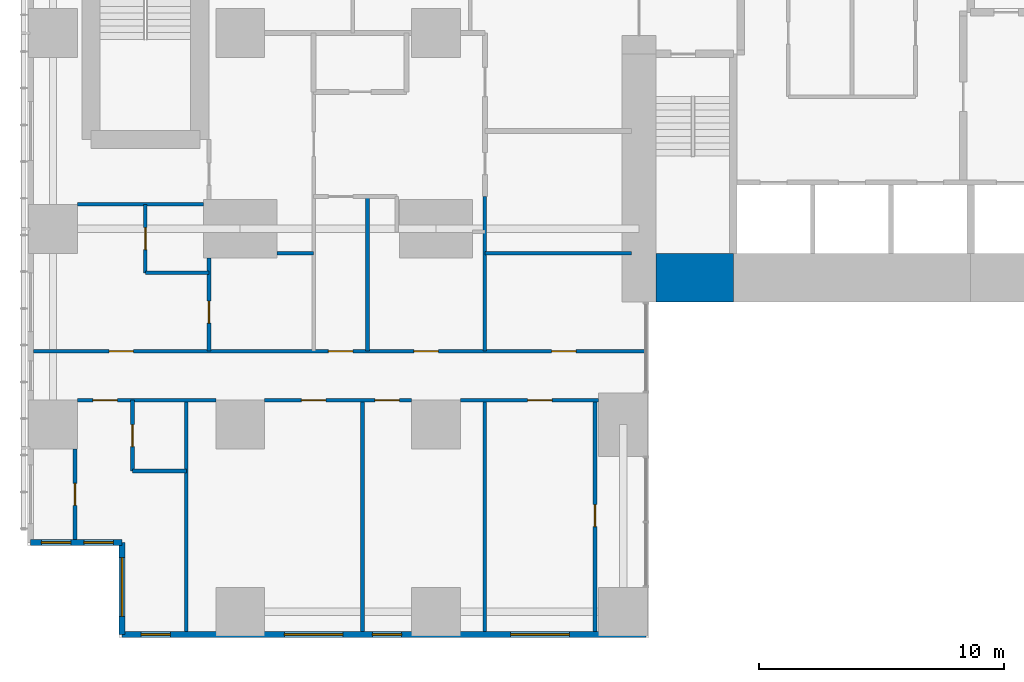
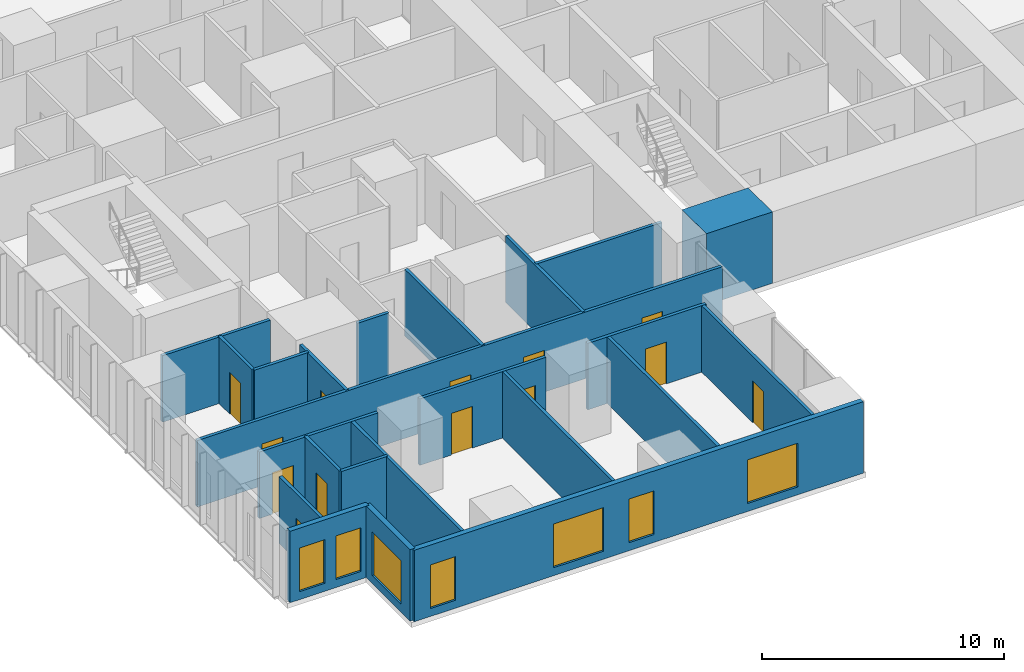
# One storey, part 12 of 20: 23 walls, 13 doors, 7 windows, 20 openings.
"""IFC4 building model written with IfcOpenShell, lengths in metres."""

from ifc_helpers import new_model, si_unit, direction, frame, frame_2d, origin, place, context, subcontext, project, spatial, rectangle, extrude, material, layer, layer_set, type_object, element, fill, save


model = new_model("IFC4")

# Units and contexts
model_context = context("Model", 3, precision=1e-05, world=origin(), true_north=direction((0.0, 1.0)))
body_context = subcontext(model_context, "Body", "Model", "MODEL_VIEW")
ifc_project = project(units=[si_unit("LENGTHUNIT", "METRE"), si_unit("AREAUNIT", "SQUARE_METRE"), si_unit("VOLUMEUNIT", "CUBIC_METRE"), si_unit("PLANEANGLEUNIT", "RADIAN"), si_unit("MASSUNIT", "GRAM", prefix="KILO")], contexts=[model_context])

# Site, building, storey
site_placement = place(None, origin())
site = spatial("IfcSite", under=ifc_project, at=site_placement, CompositionType="ELEMENT")
building_placement = place(site_placement, origin())
building = spatial("IfcBuilding", under=site, at=building_placement, Name="Cleftline Residences", CompositionType="ELEMENT")
storey_placement = place(building_placement, frame((0.0, 0.0, 143.0)))
storey = spatial("IfcBuildingStorey", under=building, at=storey_placement, Name="L37", CompositionType="ELEMENT", Elevation=143.0)

# Wall
ifc_material_1 = material(Name="Concrete B70", Category="concrete")
ifc_layer_1 = layer(ifc_material_1, 2.0)
ifc_layer_set_1 = layer_set([ifc_layer_1], Name="CORE WALL 2000")
wall_type_1 = type_object("IfcWallType", Name="CORE WALL 2000", PredefinedType="SHEAR", material=ifc_layer_set_1)
wall_1_placement = place(storey_placement, frame((25.0, 14.0, 0.0), z_axis=(0.0, 0.0, 1.0), x_axis=(1.0, 0.0, 0.0)))
element("IfcWall", 1, at=wall_1_placement, inside=storey, type_object=wall_type_1, Name="Core wall S1", PredefinedType="SHEAR", context=body_context, shape_type="SweptSolid", body=[
    extrude(rectangle(XDim=3.14990234375, YDim=2.0, at=frame_2d((1.574951171875, 0.0))), origin(), (0.0, 0.0, 1.0), 3.60009765625),
])

# Wall, openings, windows
ifc_material_2 = material(Name="Rendered reinforced concrete blockwork", Category="masonry")
ifc_layer_2 = layer(ifc_material_2, 0.25)
ifc_layer_set_2 = layer_set([ifc_layer_2], Name="EXTERNAL WALL 250")
wall_type_2 = type_object("IfcWallType", Name="EXTERNAL WALL 250", PredefinedType="SOLIDWALL", material=ifc_layer_set_2)
wall_2_placement = place(storey_placement, frame((-0.574951171875, 3.175048828125, 0.0), z_axis=(0.0, 0.0, 1.0), x_axis=(1.0, 0.0, 0.0)))
wall_2 = element("IfcWall", 2, at=wall_2_placement, inside=storey, type_object=wall_type_2, Name="External wall", PredefinedType="SOLIDWALL", context=body_context, shape_type="SweptSolid", body=[
    extrude(rectangle(XDim=3.75, YDim=0.25, at=frame_2d((1.875, 0.0))), origin(), (0.0, 0.0, 1.0), 3.60009765625),
])
opening_1_placement = place(wall_2_placement, frame((0.449951171875, 0.0, 0.39990234375)))
opening_1 = element("IfcOpeningElement", 3, at=opening_1_placement, cuts=wall_2, Name="Opening W11", PredefinedType="OPENING", context=body_context, shape_type="SweptSolid", body=[
    extrude(rectangle(XDim=1.199951171875, YDim=2.199951171875, at=frame_2d((0.60009765625, 1.10009765625))), frame((0.0, 0.135009765625, 0.0), z_axis=(0.0, -1.0, 0.0), x_axis=(1.0, 0.0, 0.0)), (0.0, 0.0, 1.0), 0.27001953125),
])
opening_2_placement = place(wall_2_placement, frame((2.1875, 0.0, 0.39990234375)))
opening_2 = element("IfcOpeningElement", 4, at=opening_2_placement, cuts=wall_2, Name="Opening W11", PredefinedType="OPENING", context=body_context, shape_type="SweptSolid", body=[
    extrude(rectangle(XDim=1.199951171875, YDim=2.199951171875, at=frame_2d((0.60009765625, 1.10009765625))), frame((0.0, 0.135009765625, 0.0), z_axis=(0.0, -1.0, 0.0), x_axis=(1.0, 0.0, 0.0)), (0.0, 0.0, 1.0), 0.27001953125),
])
ifc_material_3 = material(Name="Aluminium frame, clear double glazing", Category="aluminium")
window_type_1 = type_object("IfcWindowType", Name="WINDOW 1200X2200", PartitioningType="DOUBLE_PANEL_VERTICAL", PredefinedType="WINDOW", material=ifc_material_3)
window_1_placement = place(opening_1_placement, origin())
window_1 = element("IfcWindow", 5, at=window_1_placement, inside=storey, type_object=window_type_1, Name="Window", OverallHeight=2.199951171875, OverallWidth=1.199951171875, PartitioningType="SINGLE_PANEL", PredefinedType="WINDOW", context=body_context, shape_type="SweptSolid", body=[
    extrude(rectangle(XDim=1.199951171875, YDim=2.199951171875, at=frame_2d((0.60009765625, 1.10009765625))), frame((0.0, 0.030029296875, 0.0), z_axis=(0.0, -1.0, 0.0), x_axis=(1.0, 0.0, 0.0)), (0.0, 0.0, 1.0), 0.06005859375),
])
fill(opening_1, window_1)
window_2_placement = place(opening_2_placement, origin())
window_2 = element("IfcWindow", 6, at=window_2_placement, inside=storey, type_object=window_type_1, Name="Window", OverallHeight=2.199951171875, OverallWidth=1.199951171875, PartitioningType="SINGLE_PANEL", PredefinedType="WINDOW", context=body_context, shape_type="SweptSolid", body=[
    extrude(rectangle(XDim=1.199951171875, YDim=2.199951171875, at=frame_2d((0.60009765625, 1.10009765625))), frame((0.0, 0.030029296875, 0.0), z_axis=(0.0, -1.0, 0.0), x_axis=(1.0, 0.0, 0.0)), (0.0, 0.0, 1.0), 0.06005859375),
])
fill(opening_2, window_2)

# Wall, opening, window
wall_3_placement = place(storey_placement, frame((3.175048828125, 3.175048828125, 0.0), z_axis=(0.0, 0.0, 1.0), x_axis=(0.0, -1.0, 0.0)))
wall_3 = element("IfcWall", 7, at=wall_3_placement, inside=storey, type_object=wall_type_2, Name="External wall", PredefinedType="SOLIDWALL", context=body_context, shape_type="SweptSolid", body=[
    extrude(rectangle(XDim=3.75, YDim=0.25, at=frame_2d((1.875, 0.0))), origin(), (0.0, 0.0, 1.0), 3.60009765625),
])
opening_3_placement = place(wall_3_placement, frame((0.612548828125, 0.0, 0.39990234375)))
opening_3 = element("IfcOpeningElement", 8, at=opening_3_placement, cuts=wall_3, Name="Opening W12", PredefinedType="OPENING", context=body_context, shape_type="SweptSolid", body=[
    extrude(rectangle(XDim=2.39990234375, YDim=2.199951171875, at=frame_2d((1.199951171875, 1.10009765625))), frame((0.0, 0.135009765625, 0.0), z_axis=(0.0, -1.0, 0.0), x_axis=(1.0, 0.0, 0.0)), (0.0, 0.0, 1.0), 0.27001953125),
])
ifc_material_4 = material(Name="Aluminium frame, clear double glazing", Category="aluminium")
window_type_2 = type_object("IfcWindowType", Name="WINDOW 2400X2200", PartitioningType="DOUBLE_PANEL_VERTICAL", PredefinedType="WINDOW", material=ifc_material_4)
window_3_placement = place(opening_3_placement, origin())
window_3 = element("IfcWindow", 9, at=window_3_placement, inside=storey, type_object=window_type_2, Name="Window", OverallHeight=2.199951171875, OverallWidth=2.39990234375, PartitioningType="SINGLE_PANEL", PredefinedType="WINDOW", context=body_context, shape_type="SweptSolid", body=[
    extrude(rectangle(XDim=2.39990234375, YDim=2.199951171875, at=frame_2d((1.199951171875, 1.10009765625))), frame((0.0, 0.030029296875, 0.0), z_axis=(0.0, -1.0, 0.0), x_axis=(1.0, 0.0, 0.0)), (0.0, 0.0, 1.0), 0.06005859375),
])
fill(opening_3, window_3)

# Wall, openings, windows
wall_4_placement = place(storey_placement, frame((3.175048828125, -0.574951171875, 0.0), z_axis=(0.0, 0.0, 1.0), x_axis=(1.0, 0.0, 0.0)))
wall_4 = element("IfcWall", 10, at=wall_4_placement, inside=storey, type_object=wall_type_2, Name="External wall", PredefinedType="SOLIDWALL", context=body_context, shape_type="SweptSolid", body=[
    extrude(rectangle(XDim=21.39990234375, YDim=0.25, at=frame_2d((10.699951171875, 0.0))), origin(), (0.0, 0.0, 1.0), 3.60009765625),
])
opening_4_placement = place(wall_4_placement, frame((0.77490234375, 0.0, 0.39990234375)))
opening_4 = element("IfcOpeningElement", 11, at=opening_4_placement, cuts=wall_4, Name="Opening W11", PredefinedType="OPENING", context=body_context, shape_type="SweptSolid", body=[
    extrude(rectangle(XDim=1.199951171875, YDim=2.199951171875, at=frame_2d((0.60009765625, 1.10009765625))), frame((0.0, 0.135009765625, 0.0), z_axis=(0.0, -1.0, 0.0), x_axis=(1.0, 0.0, 0.0)), (0.0, 0.0, 1.0), 0.27001953125),
])
opening_5_placement = place(wall_4_placement, frame((6.625, 0.0, 0.39990234375)))
opening_5 = element("IfcOpeningElement", 12, at=opening_5_placement, cuts=wall_4, Name="Opening W12", PredefinedType="OPENING", context=body_context, shape_type="SweptSolid", body=[
    extrude(rectangle(XDim=2.39990234375, YDim=2.199951171875, at=frame_2d((1.199951171875, 1.10009765625))), frame((0.0, 0.135009765625, 0.0), z_axis=(0.0, -1.0, 0.0), x_axis=(1.0, 0.0, 0.0)), (0.0, 0.0, 1.0), 0.27001953125),
])
opening_6_placement = place(wall_4_placement, frame((10.22509765625, 0.0, 0.39990234375)))
opening_6 = element("IfcOpeningElement", 13, at=opening_6_placement, cuts=wall_4, Name="Opening W11", PredefinedType="OPENING", context=body_context, shape_type="SweptSolid", body=[
    extrude(rectangle(XDim=1.199951171875, YDim=2.199951171875, at=frame_2d((0.60009765625, 1.10009765625))), frame((0.0, 0.135009765625, 0.0), z_axis=(0.0, -1.0, 0.0), x_axis=(1.0, 0.0, 0.0)), (0.0, 0.0, 1.0), 0.27001953125),
])
opening_7_placement = place(wall_4_placement, frame((15.875, 0.0, 0.39990234375)))
opening_7 = element("IfcOpeningElement", 14, at=opening_7_placement, cuts=wall_4, Name="Opening W12", PredefinedType="OPENING", context=body_context, shape_type="SweptSolid", body=[
    extrude(rectangle(XDim=2.39990234375, YDim=2.199951171875, at=frame_2d((1.199951171875, 1.10009765625))), frame((0.0, 0.135009765625, 0.0), z_axis=(0.0, -1.0, 0.0), x_axis=(1.0, 0.0, 0.0)), (0.0, 0.0, 1.0), 0.27001953125),
])
window_4_placement = place(opening_4_placement, origin())
window_4 = element("IfcWindow", 15, at=window_4_placement, inside=storey, type_object=window_type_1, Name="Window", OverallHeight=2.199951171875, OverallWidth=1.199951171875, PartitioningType="SINGLE_PANEL", PredefinedType="WINDOW", context=body_context, shape_type="SweptSolid", body=[
    extrude(rectangle(XDim=1.199951171875, YDim=2.199951171875, at=frame_2d((0.60009765625, 1.10009765625))), frame((0.0, 0.030029296875, 0.0), z_axis=(0.0, -1.0, 0.0), x_axis=(1.0, 0.0, 0.0)), (0.0, 0.0, 1.0), 0.06005859375),
])
fill(opening_4, window_4)
window_5_placement = place(opening_6_placement, origin())
window_5 = element("IfcWindow", 16, at=window_5_placement, inside=storey, type_object=window_type_1, Name="Window", OverallHeight=2.199951171875, OverallWidth=1.199951171875, PartitioningType="SINGLE_PANEL", PredefinedType="WINDOW", context=body_context, shape_type="SweptSolid", body=[
    extrude(rectangle(XDim=1.199951171875, YDim=2.199951171875, at=frame_2d((0.60009765625, 1.10009765625))), frame((0.0, 0.030029296875, 0.0), z_axis=(0.0, -1.0, 0.0), x_axis=(1.0, 0.0, 0.0)), (0.0, 0.0, 1.0), 0.06005859375),
])
fill(opening_6, window_5)
window_6_placement = place(opening_5_placement, origin())
window_6 = element("IfcWindow", 17, at=window_6_placement, inside=storey, type_object=window_type_2, Name="Window", OverallHeight=2.199951171875, OverallWidth=2.39990234375, PartitioningType="SINGLE_PANEL", PredefinedType="WINDOW", context=body_context, shape_type="SweptSolid", body=[
    extrude(rectangle(XDim=2.39990234375, YDim=2.199951171875, at=frame_2d((1.199951171875, 1.10009765625))), frame((0.0, 0.030029296875, 0.0), z_axis=(0.0, -1.0, 0.0), x_axis=(1.0, 0.0, 0.0)), (0.0, 0.0, 1.0), 0.06005859375),
])
fill(opening_5, window_6)
window_7_placement = place(opening_7_placement, origin())
window_7 = element("IfcWindow", 18, at=window_7_placement, inside=storey, type_object=window_type_2, Name="Window", OverallHeight=2.199951171875, OverallWidth=2.39990234375, PartitioningType="SINGLE_PANEL", PredefinedType="WINDOW", context=body_context, shape_type="SweptSolid", body=[
    extrude(rectangle(XDim=2.39990234375, YDim=2.199951171875, at=frame_2d((1.199951171875, 1.10009765625))), frame((0.0, 0.030029296875, 0.0), z_axis=(0.0, -1.0, 0.0), x_axis=(1.0, 0.0, 0.0)), (0.0, 0.0, 1.0), 0.06005859375),
])
fill(opening_7, window_7)

# Wall
ifc_material_5 = material(Name="Gypsum board on steel studs", Category="steel")
ifc_layer_3 = layer(ifc_material_5, 0.14990234375)
ifc_layer_set_3 = layer_set([ifc_layer_3], Name="PARTITION 150")
wall_type_3 = type_object("IfcWallType", Name="PARTITION 150", PredefinedType="PARTITIONING", material=ifc_layer_set_3)
wall_5_placement = place(storey_placement, frame((3.60009765625, 6.10009765625, 0.0), z_axis=(0.0, 0.0, 1.0), x_axis=(1.0, 0.0, 0.0)))
element("IfcWall", 19, at=wall_5_placement, inside=storey, type_object=wall_type_3, Name="Partition", PredefinedType="PARTITIONING", context=body_context, shape_type="SweptSolid", body=[
    extrude(rectangle(XDim=2.199951171875, YDim=0.14990234375, at=frame_2d((1.10009765625, 0.0))), origin(), (0.0, 0.0, 1.0), 3.35009765625),
])

# Wall, opening, door
wall_6_placement = place(storey_placement, frame((1.35009765625, 9.0, 0.0), z_axis=(0.0, 0.0, 1.0), x_axis=(1.0, 0.0, 0.0)))
wall_6 = element("IfcWall", 20, at=wall_6_placement, inside=storey, type_object=wall_type_3, Name="Partition", PredefinedType="PARTITIONING", context=body_context, shape_type="SweptSolid", body=[
    extrude(rectangle(XDim=5.64990234375, YDim=0.14990234375, at=frame_2d((2.824951171875, 0.0))), origin(), (0.0, 0.0, 1.0), 3.35009765625),
])
opening_8_placement = place(wall_6_placement, frame((0.625, 0.0, 0.0)))
opening_8 = element("IfcOpeningElement", 21, at=opening_8_placement, cuts=wall_6, Name="Opening D2", PredefinedType="OPENING", context=body_context, shape_type="SweptSolid", body=[
    extrude(rectangle(XDim=1.0, YDim=2.10009765625, at=frame_2d((0.5, 1.050048828125))), frame((0.0, 0.0849609375, 0.0), z_axis=(0.0, -1.0, 0.0), x_axis=(1.0, 0.0, 0.0)), (0.0, 0.0, 1.0), 0.169921875),
])
ifc_material_6 = material(Name="Timber veneer on solid core", Category="wood")
door_type_1 = type_object("IfcDoorType", Name="DOOR 1000X2100", OperationType="SINGLE_SWING_LEFT", PredefinedType="DOOR", material=ifc_material_6)
door_1_placement = place(opening_8_placement, origin())
door_1 = element("IfcDoor", 22, at=door_1_placement, inside=storey, type_object=door_type_1, Name="Door to bedroom 2", OperationType="SINGLE_SWING_RIGHT", OverallHeight=2.10009765625, OverallWidth=1.0, PredefinedType="DOOR", context=body_context, shape_type="SweptSolid", body=[
    extrude(rectangle(XDim=1.0, YDim=2.10009765625, at=frame_2d((0.5, 1.050048828125))), frame((0.0, 0.02490234375, 0.0), z_axis=(0.0, -1.0, 0.0), x_axis=(1.0, 0.0, 0.0)), (0.0, 0.0, 1.0), 0.050048828125),
])
fill(opening_8, door_1)

# Wall, openings, doors
wall_7_placement = place(storey_placement, frame((9.0, 9.0, 0.0), z_axis=(0.0, 0.0, 1.0), x_axis=(1.0, 0.0, 0.0)))
wall_7 = element("IfcWall", 23, at=wall_7_placement, inside=storey, type_object=wall_type_3, Name="Partition", PredefinedType="PARTITIONING", context=body_context, shape_type="SweptSolid", body=[
    extrude(rectangle(XDim=6.0, YDim=0.14990234375, at=frame_2d((3.0, 0.0))), origin(), (0.0, 0.0, 1.0), 3.35009765625),
])
opening_9_placement = place(wall_7_placement, frame((1.5, 0.0, 0.0)))
opening_9 = element("IfcOpeningElement", 24, at=opening_9_placement, cuts=wall_7, Name="Opening D2", PredefinedType="OPENING", context=body_context, shape_type="SweptSolid", body=[
    extrude(rectangle(XDim=1.0, YDim=2.10009765625, at=frame_2d((0.5, 1.050048828125))), frame((0.0, 0.0849609375, 0.0), z_axis=(0.0, -1.0, 0.0), x_axis=(1.0, 0.0, 0.0)), (0.0, 0.0, 1.0), 0.169921875),
])
opening_10_placement = place(wall_7_placement, frame((4.5, 0.0, 0.0)))
opening_10 = element("IfcOpeningElement", 25, at=opening_10_placement, cuts=wall_7, Name="Opening D2", PredefinedType="OPENING", context=body_context, shape_type="SweptSolid", body=[
    extrude(rectangle(XDim=1.0, YDim=2.10009765625, at=frame_2d((0.5, 1.050048828125))), frame((0.0, 0.0849609375, 0.0), z_axis=(0.0, -1.0, 0.0), x_axis=(1.0, 0.0, 0.0)), (0.0, 0.0, 1.0), 0.169921875),
])
door_2_placement = place(opening_9_placement, origin())
door_2 = element("IfcDoor", 26, at=door_2_placement, inside=storey, type_object=door_type_1, Name="Door to living room", OperationType="SINGLE_SWING_RIGHT", OverallHeight=2.10009765625, OverallWidth=1.0, PredefinedType="DOOR", context=body_context, shape_type="SweptSolid", body=[
    extrude(rectangle(XDim=1.0, YDim=2.10009765625, at=frame_2d((0.5, 1.050048828125))), frame((0.0, 0.02490234375, 0.0), z_axis=(0.0, -1.0, 0.0), x_axis=(1.0, 0.0, 0.0)), (0.0, 0.0, 1.0), 0.050048828125),
])
fill(opening_9, door_2)
door_3_placement = place(opening_10_placement, origin())
door_3 = element("IfcDoor", 27, at=door_3_placement, inside=storey, type_object=door_type_1, Name="Door to dining room", OperationType="SINGLE_SWING_LEFT", OverallHeight=2.10009765625, OverallWidth=1.0, PredefinedType="DOOR", context=body_context, shape_type="SweptSolid", body=[
    extrude(rectangle(XDim=1.0, YDim=2.10009765625, at=frame_2d((0.5, 1.050048828125))), frame((0.0, 0.02490234375, 0.0), z_axis=(0.0, -1.0, 0.0), x_axis=(1.0, 0.0, 0.0)), (0.0, 0.0, 1.0), 0.050048828125),
])
fill(opening_10, door_3)

# Wall, opening, door
wall_8_placement = place(storey_placement, frame((17.0, 9.0, 0.0), z_axis=(0.0, 0.0, 1.0), x_axis=(1.0, 0.0, 0.0)))
wall_8 = element("IfcWall", 28, at=wall_8_placement, inside=storey, type_object=wall_type_3, Name="Partition", PredefinedType="PARTITIONING", context=body_context, shape_type="SweptSolid", body=[
    extrude(rectangle(XDim=5.64990234375, YDim=0.14990234375, at=frame_2d((2.824951171875, 0.0))), origin(), (0.0, 0.0, 1.0), 3.35009765625),
])
opening_11_placement = place(wall_8_placement, frame((2.75, 0.0, 0.0)))
opening_11 = element("IfcOpeningElement", 29, at=opening_11_placement, cuts=wall_8, Name="Opening D2", PredefinedType="OPENING", context=body_context, shape_type="SweptSolid", body=[
    extrude(rectangle(XDim=1.0, YDim=2.10009765625, at=frame_2d((0.5, 1.050048828125))), frame((0.0, 0.0849609375, 0.0), z_axis=(0.0, -1.0, 0.0), x_axis=(1.0, 0.0, 0.0)), (0.0, 0.0, 1.0), 0.169921875),
])
door_4_placement = place(opening_11_placement, origin())
door_4 = element("IfcDoor", 30, at=door_4_placement, inside=storey, type_object=door_type_1, Name="Door to show kitchen", OperationType="SINGLE_SWING_LEFT", OverallHeight=2.10009765625, OverallWidth=1.0, PredefinedType="DOOR", context=body_context, shape_type="SweptSolid", body=[
    extrude(rectangle(XDim=1.0, YDim=2.10009765625, at=frame_2d((0.5, 1.050048828125))), frame((0.0, 0.02490234375, 0.0), z_axis=(0.0, -1.0, 0.0), x_axis=(1.0, 0.0, 0.0)), (0.0, 0.0, 1.0), 0.050048828125),
])
fill(opening_11, door_4)

# Wall, openings, doors
wall_9_placement = place(storey_placement, frame((-0.449951171875, 11.0, 0.0), z_axis=(0.0, 0.0, 1.0), x_axis=(1.0, 0.0, 0.0)))
wall_9 = element("IfcWall", 31, at=wall_9_placement, inside=storey, type_object=wall_type_3, Name="Partition", PredefinedType="PARTITIONING", context=body_context, shape_type="SweptSolid", body=[
    extrude(rectangle(XDim=25.010986328125, YDim=0.14990234375, at=frame_2d((12.50537109375, 0.0))), origin(), (0.0, 0.0, 1.0), 3.35009765625),
])
opening_12_placement = place(wall_9_placement, frame((12.050048828125, 0.0, 0.0)))
opening_12 = element("IfcOpeningElement", 32, at=opening_12_placement, cuts=wall_9, Name="Opening D2F30", PredefinedType="OPENING", context=body_context, shape_type="SweptSolid", body=[
    extrude(rectangle(XDim=1.0, YDim=2.10009765625, at=frame_2d((0.5, 1.050048828125))), frame((0.0, 0.0849609375, 0.0), z_axis=(0.0, -1.0, 0.0), x_axis=(1.0, 0.0, 0.0)), (0.0, 0.0, 1.0), 0.169921875),
])
opening_13_placement = place(wall_9_placement, frame((3.08740234375, 0.0, 0.0)))
opening_13 = element("IfcOpeningElement", 33, at=opening_13_placement, cuts=wall_9, Name="Opening D2F30", PredefinedType="OPENING", context=body_context, shape_type="SweptSolid", body=[
    extrude(rectangle(XDim=1.0, YDim=2.10009765625, at=frame_2d((0.5, 1.050048828125))), frame((0.0, 0.0849609375, 0.0), z_axis=(0.0, -1.0, 0.0), x_axis=(1.0, 0.0, 0.0)), (0.0, 0.0, 1.0), 0.169921875),
])
opening_14_placement = place(wall_9_placement, frame((15.550048828125, 0.0, 0.0)))
opening_14 = element("IfcOpeningElement", 34, at=opening_14_placement, cuts=wall_9, Name="Opening D2F30", PredefinedType="OPENING", context=body_context, shape_type="SweptSolid", body=[
    extrude(rectangle(XDim=1.0, YDim=2.10009765625, at=frame_2d((0.5, 1.050048828125))), frame((0.0, 0.0849609375, 0.0), z_axis=(0.0, -1.0, 0.0), x_axis=(1.0, 0.0, 0.0)), (0.0, 0.0, 1.0), 0.169921875),
])
opening_15_placement = place(wall_9_placement, frame((21.175048828125, 0.0, 0.0)))
opening_15 = element("IfcOpeningElement", 35, at=opening_15_placement, cuts=wall_9, Name="Opening D2F30", PredefinedType="OPENING", context=body_context, shape_type="SweptSolid", body=[
    extrude(rectangle(XDim=1.0, YDim=2.10009765625, at=frame_2d((0.5, 1.050048828125))), frame((0.0, 0.0849609375, 0.0), z_axis=(0.0, -1.0, 0.0), x_axis=(1.0, 0.0, 0.0)), (0.0, 0.0, 1.0), 0.169921875),
])
ifc_material_7 = material(Name="Timber veneer on solid core", Category="wood")
door_type_2 = type_object("IfcDoorType", Name="DOOR 1000X2100 EI 30", OperationType="SINGLE_SWING_LEFT", PredefinedType="DOOR", material=ifc_material_7)
door_5_placement = place(opening_12_placement, origin())
door_5 = element("IfcDoor", 36, at=door_5_placement, inside=storey, type_object=door_type_2, Name="Door to residence hall (gallery)", OperationType="SINGLE_SWING_LEFT", OverallHeight=2.10009765625, OverallWidth=1.0, PredefinedType="DOOR", context=body_context, shape_type="SweptSolid", body=[
    extrude(rectangle(XDim=1.0, YDim=2.10009765625, at=frame_2d((0.5, 1.050048828125))), frame((0.0, 0.02490234375, 0.0), z_axis=(0.0, -1.0, 0.0), x_axis=(1.0, 0.0, 0.0)), (0.0, 0.0, 1.0), 0.050048828125),
])
fill(opening_12, door_5)
door_6_placement = place(opening_13_placement, origin())
door_6 = element("IfcDoor", 37, at=door_6_placement, inside=storey, type_object=door_type_2, Name="Door to master bedroom", OperationType="SINGLE_SWING_RIGHT", OverallHeight=2.10009765625, OverallWidth=1.0, PredefinedType="DOOR", context=body_context, shape_type="SweptSolid", body=[
    extrude(rectangle(XDim=1.0, YDim=2.10009765625, at=frame_2d((0.5, 1.050048828125))), frame((0.0, 0.02490234375, 0.0), z_axis=(0.0, -1.0, 0.0), x_axis=(1.0, 0.0, 0.0)), (0.0, 0.0, 1.0), 0.050048828125),
])
fill(opening_13, door_6)
door_7_placement = place(opening_14_placement, origin())
door_7 = element("IfcDoor", 38, at=door_7_placement, inside=storey, type_object=door_type_2, Name="Door to study", OperationType="SINGLE_SWING_LEFT", OverallHeight=2.10009765625, OverallWidth=1.0, PredefinedType="DOOR", context=body_context, shape_type="SweptSolid", body=[
    extrude(rectangle(XDim=1.0, YDim=2.10009765625, at=frame_2d((0.5, 1.050048828125))), frame((0.0, 0.02490234375, 0.0), z_axis=(0.0, -1.0, 0.0), x_axis=(1.0, 0.0, 0.0)), (0.0, 0.0, 1.0), 0.050048828125),
])
fill(opening_14, door_7)
door_8_placement = place(opening_15_placement, origin())
door_8 = element("IfcDoor", 39, at=door_8_placement, inside=storey, type_object=door_type_2, Name="Door to wet kitchen", OperationType="SINGLE_SWING_LEFT", OverallHeight=2.10009765625, OverallWidth=1.0, PredefinedType="DOOR", context=body_context, shape_type="SweptSolid", body=[
    extrude(rectangle(XDim=1.0, YDim=2.10009765625, at=frame_2d((0.5, 1.050048828125))), frame((0.0, 0.02490234375, 0.0), z_axis=(0.0, -1.0, 0.0), x_axis=(1.0, 0.0, 0.0)), (0.0, 0.0, 1.0), 0.050048828125),
])
fill(opening_15, door_8)

# Walls
wall_10_placement = place(storey_placement, frame((4.125, 14.199951171875, 0.0), z_axis=(0.0, 0.0, 1.0), x_axis=(1.0, 0.0, 0.0)))
element("IfcWall", 40, at=wall_10_placement, inside=storey, type_object=wall_type_3, Name="Partition", PredefinedType="PARTITIONING", context=body_context, shape_type="SweptSolid", body=[
    extrude(rectangle(XDim=2.60009765625, YDim=0.14990234375, at=frame_2d((1.300048828125, 0.0))), origin(), (0.0, 0.0, 1.0), 3.35009765625),
])
wall_11_placement = place(storey_placement, frame((9.5, 15.0, 0.0), z_axis=(0.0, 0.0, 1.0), x_axis=(1.0, 0.0, 0.0)))
element("IfcWall", 41, at=wall_11_placement, inside=storey, type_object=wall_type_3, Name="Partition", PredefinedType="PARTITIONING", context=body_context, shape_type="SweptSolid", body=[
    extrude(rectangle(XDim=1.5, YDim=0.14990234375, at=frame_2d((0.75, 0.0))), origin(), (0.0, 0.0, 1.0), 3.35009765625),
])
wall_12_placement = place(storey_placement, frame((18.0, 15.0, 0.0), z_axis=(0.0, 0.0, 1.0), x_axis=(1.0, 0.0, 0.0)))
element("IfcWall", 42, at=wall_12_placement, inside=storey, type_object=wall_type_3, Name="Partition", PredefinedType="PARTITIONING", context=body_context, shape_type="SweptSolid", body=[
    extrude(rectangle(XDim=6.0, YDim=0.14990234375, at=frame_2d((3.0, 0.0))), origin(), (0.0, 0.0, 1.0), 3.35009765625),
])
wall_13_placement = place(storey_placement, frame((1.35009765625, 17.0, 0.0), z_axis=(0.0, 0.0, 1.0), x_axis=(1.0, 0.0, 0.0)))
element("IfcWall", 43, at=wall_13_placement, inside=storey, type_object=wall_type_3, Name="Partition", PredefinedType="PARTITIONING", context=body_context, shape_type="SweptSolid", body=[
    extrude(rectangle(XDim=5.14990234375, YDim=0.14990234375, at=frame_2d((2.574951171875, 0.0))), origin(), (0.0, 0.0, 1.0), 3.35009765625),
])

# Wall, opening, door
wall_14_placement = place(storey_placement, frame((1.25, 3.300048828125, 0.0), z_axis=(0.0, 0.0, 1.0), x_axis=(0.0, 1.0, 0.0)))
wall_14 = element("IfcWall", 44, at=wall_14_placement, inside=storey, type_object=wall_type_3, Name="Partition", PredefinedType="PARTITIONING", context=body_context, shape_type="SweptSolid", body=[
    extrude(rectangle(XDim=3.699951171875, YDim=0.14990234375, at=frame_2d((1.85009765625, 0.0))), origin(), (0.0, 0.0, 1.0), 3.35009765625),
])
opening_16_placement = place(wall_14_placement, frame((1.39990234375, 0.0, 0.0)))
opening_16 = element("IfcOpeningElement", 45, at=opening_16_placement, cuts=wall_14, Name="Opening D1", PredefinedType="OPENING", context=body_context, shape_type="SweptSolid", body=[
    extrude(rectangle(XDim=0.89990234375, YDim=2.10009765625, at=frame_2d((0.449951171875, 1.050048828125))), frame((0.0, 0.0849609375, 0.0), z_axis=(0.0, -1.0, 0.0), x_axis=(1.0, 0.0, 0.0)), (0.0, 0.0, 1.0), 0.169921875),
])
ifc_material_8 = material(Name="Timber veneer on solid core", Category="wood")
door_type_3 = type_object("IfcDoorType", Name="DOOR 900X2100", OperationType="SINGLE_SWING_LEFT", PredefinedType="DOOR", material=ifc_material_8)
door_9_placement = place(opening_16_placement, origin())
door_9 = element("IfcDoor", 46, at=door_9_placement, inside=storey, type_object=door_type_3, Name="Door to walk-in wardrobe", OperationType="SINGLE_SWING_LEFT", OverallHeight=2.10009765625, OverallWidth=0.89990234375, PredefinedType="DOOR", context=body_context, shape_type="SweptSolid", body=[
    extrude(rectangle(XDim=0.89990234375, YDim=2.10009765625, at=frame_2d((0.449951171875, 1.050048828125))), frame((0.0, 0.02490234375, 0.0), z_axis=(0.0, -1.0, 0.0), x_axis=(1.0, 0.0, 0.0)), (0.0, 0.0, 1.0), 0.050048828125),
])
fill(opening_16, door_9)

wall_15_placement = place(storey_placement, frame((3.60009765625, 6.10009765625, 0.0), z_axis=(0.0, 0.0, 1.0), x_axis=(0.0, 1.0, 0.0)))
wall_15 = element("IfcWall", 47, at=wall_15_placement, inside=storey, type_object=wall_type_3, Name="Partition", PredefinedType="PARTITIONING", context=body_context, shape_type="SweptSolid", body=[
    extrude(rectangle(XDim=2.89990234375, YDim=0.14990234375, at=frame_2d((1.449951171875, 0.0))), origin(), (0.0, 0.0, 1.0), 3.35009765625),
])
opening_17_placement = place(wall_15_placement, frame((1.0, 0.0, 0.0)))
opening_17 = element("IfcOpeningElement", 48, at=opening_17_placement, cuts=wall_15, Name="Opening D1", PredefinedType="OPENING", context=body_context, shape_type="SweptSolid", body=[
    extrude(rectangle(XDim=0.89990234375, YDim=2.10009765625, at=frame_2d((0.449951171875, 1.050048828125))), frame((0.0, 0.0849609375, 0.0), z_axis=(0.0, -1.0, 0.0), x_axis=(1.0, 0.0, 0.0)), (0.0, 0.0, 1.0), 0.169921875),
])
door_10_placement = place(opening_17_placement, origin())
door_10 = element("IfcDoor", 49, at=door_10_placement, inside=storey, type_object=door_type_3, Name="Door to en-suite bathroom 2", OperationType="SINGLE_SWING_LEFT", OverallHeight=2.10009765625, OverallWidth=0.89990234375, PredefinedType="DOOR", context=body_context, shape_type="SweptSolid", body=[
    extrude(rectangle(XDim=0.89990234375, YDim=2.10009765625, at=frame_2d((0.449951171875, 1.050048828125))), frame((0.0, 0.02490234375, 0.0), z_axis=(0.0, -1.0, 0.0), x_axis=(1.0, 0.0, 0.0)), (0.0, 0.0, 1.0), 0.050048828125),
])
fill(opening_17, door_10)

wall_16_placement = place(storey_placement, frame((4.125, 14.199951171875, 0.0), z_axis=(0.0, 0.0, 1.0), x_axis=(0.0, 1.0, 0.0)))
wall_16 = element("IfcWall", 50, at=wall_16_placement, inside=storey, type_object=wall_type_3, Name="Partition", PredefinedType="PARTITIONING", context=body_context, shape_type="SweptSolid", body=[
    extrude(rectangle(XDim=2.800048828125, YDim=0.14990234375, at=frame_2d((1.39990234375, 0.0))), origin(), (0.0, 0.0, 1.0), 3.35009765625),
])
opening_18_placement = place(wall_16_placement, frame((0.949951171875, 0.0, 0.0)))
opening_18 = element("IfcOpeningElement", 51, at=opening_18_placement, cuts=wall_16, Name="Opening D1", PredefinedType="OPENING", context=body_context, shape_type="SweptSolid", body=[
    extrude(rectangle(XDim=0.89990234375, YDim=2.10009765625, at=frame_2d((0.449951171875, 1.050048828125))), frame((0.0, 0.0849609375, 0.0), z_axis=(0.0, -1.0, 0.0), x_axis=(1.0, 0.0, 0.0)), (0.0, 0.0, 1.0), 0.169921875),
])
door_11_placement = place(opening_18_placement, origin())
door_11 = element("IfcDoor", 52, at=door_11_placement, inside=storey, type_object=door_type_3, Name="Door to master bathroom", OperationType="SINGLE_SWING_LEFT", OverallHeight=2.10009765625, OverallWidth=0.89990234375, PredefinedType="DOOR", context=body_context, shape_type="SweptSolid", body=[
    extrude(rectangle(XDim=0.89990234375, YDim=2.10009765625, at=frame_2d((0.449951171875, 1.050048828125))), frame((0.0, 0.02490234375, 0.0), z_axis=(0.0, -1.0, 0.0), x_axis=(1.0, 0.0, 0.0)), (0.0, 0.0, 1.0), 0.050048828125),
])
fill(opening_18, door_11)

# Wall
wall_17_placement = place(storey_placement, frame((5.800048828125, -0.449951171875, 0.0), z_axis=(0.0, 0.0, 1.0), x_axis=(0.0, 1.0, 0.0)))
element("IfcWall", 53, at=wall_17_placement, inside=storey, type_object=wall_type_3, Name="Partition", PredefinedType="PARTITIONING", context=body_context, shape_type="SweptSolid", body=[
    extrude(rectangle(XDim=9.449951171875, YDim=0.14990234375, at=frame_2d((4.72509765625, 0.0))), origin(), (0.0, 0.0, 1.0), 3.35009765625),
])

# Wall, opening, door
wall_18_placement = place(storey_placement, frame((6.72509765625, 11.0, 0.0), z_axis=(0.0, 0.0, 1.0), x_axis=(0.0, 1.0, 0.0)))
wall_18 = element("IfcWall", 54, at=wall_18_placement, inside=storey, type_object=wall_type_3, Name="Partition", PredefinedType="PARTITIONING", context=body_context, shape_type="SweptSolid", body=[
    extrude(rectangle(XDim=3.800048828125, YDim=0.14990234375, at=frame_2d((1.89990234375, 0.0))), origin(), (0.0, 0.0, 1.0), 3.35009765625),
])
opening_19_placement = place(wall_18_placement, frame((1.14990234375, 0.0, 0.0)))
opening_19 = element("IfcOpeningElement", 55, at=opening_19_placement, cuts=wall_18, Name="Opening D1", PredefinedType="OPENING", context=body_context, shape_type="SweptSolid", body=[
    extrude(rectangle(XDim=0.89990234375, YDim=2.10009765625, at=frame_2d((0.449951171875, 1.050048828125))), frame((0.0, 0.0849609375, 0.0), z_axis=(0.0, -1.0, 0.0), x_axis=(1.0, 0.0, 0.0)), (0.0, 0.0, 1.0), 0.169921875),
])
door_12_placement = place(opening_19_placement, origin())
door_12 = element("IfcDoor", 56, at=door_12_placement, inside=storey, type_object=door_type_3, Name="Door to master dressing room", OperationType="SINGLE_SWING_RIGHT", OverallHeight=2.10009765625, OverallWidth=0.89990234375, PredefinedType="DOOR", context=body_context, shape_type="SweptSolid", body=[
    extrude(rectangle(XDim=0.89990234375, YDim=2.10009765625, at=frame_2d((0.449951171875, 1.050048828125))), frame((0.0, 0.02490234375, 0.0), z_axis=(0.0, -1.0, 0.0), x_axis=(1.0, 0.0, 0.0)), (0.0, 0.0, 1.0), 0.050048828125),
])
fill(opening_19, door_12)

# Walls
wall_19_placement = place(storey_placement, frame((13.0, -0.449951171875, 0.0), z_axis=(0.0, 0.0, 1.0), x_axis=(0.0, 1.0, 0.0)))
element("IfcWall", 57, at=wall_19_placement, inside=storey, type_object=wall_type_3, Name="Partition", PredefinedType="PARTITIONING", context=body_context, shape_type="SweptSolid", body=[
    extrude(rectangle(XDim=9.449951171875, YDim=0.14990234375, at=frame_2d((4.72509765625, 0.0))), origin(), (0.0, 0.0, 1.0), 3.35009765625),
])
wall_20_placement = place(storey_placement, frame((13.199951171875, 11.0, 0.0), z_axis=(0.0, 0.0, 1.0), x_axis=(0.0, 1.0, 0.0)))
element("IfcWall", 58, at=wall_20_placement, inside=storey, type_object=wall_type_3, Name="Partition", PredefinedType="PARTITIONING", context=body_context, shape_type="SweptSolid", body=[
    extrude(rectangle(XDim=6.324951171875, YDim=0.14990234375, at=frame_2d((3.16259765625, 0.0))), origin(), (0.0, 0.0, 1.0), 3.35009765625),
])
wall_21_placement = place(storey_placement, frame((18.0, -0.449951171875, 0.0), z_axis=(0.0, 0.0, 1.0), x_axis=(0.0, 1.0, 0.0)))
element("IfcWall", 59, at=wall_21_placement, inside=storey, type_object=wall_type_3, Name="Partition", PredefinedType="PARTITIONING", context=body_context, shape_type="SweptSolid", body=[
    extrude(rectangle(XDim=9.449951171875, YDim=0.14990234375, at=frame_2d((4.72509765625, 0.0))), origin(), (0.0, 0.0, 1.0), 3.35009765625),
])
wall_22_placement = place(storey_placement, frame((18.0, 11.0, 0.0), z_axis=(0.0, 0.0, 1.0), x_axis=(0.0, 1.0, 0.0)))
element("IfcWall", 60, at=wall_22_placement, inside=storey, type_object=wall_type_3, Name="Partition", PredefinedType="PARTITIONING", context=body_context, shape_type="SweptSolid", body=[
    extrude(rectangle(XDim=6.324951171875, YDim=0.14990234375, at=frame_2d((3.16259765625, 0.0))), origin(), (0.0, 0.0, 1.0), 3.35009765625),
])

# Wall, opening, door
wall_23_placement = place(storey_placement, frame((22.5, -0.449951171875, 0.0), z_axis=(0.0, 0.0, 1.0), x_axis=(0.0, 1.0, 0.0)))
wall_23 = element("IfcWall", 61, at=wall_23_placement, inside=storey, type_object=wall_type_3, Name="Partition", PredefinedType="PARTITIONING", context=body_context, shape_type="SweptSolid", body=[
    extrude(rectangle(XDim=9.449951171875, YDim=0.14990234375, at=frame_2d((4.72509765625, 0.0))), origin(), (0.0, 0.0, 1.0), 3.35009765625),
])
opening_20_placement = place(wall_23_placement, frame((4.27490234375, 0.0, 0.0)))
opening_20 = element("IfcOpeningElement", 62, at=opening_20_placement, cuts=wall_23, Name="Opening D1", PredefinedType="OPENING", context=body_context, shape_type="SweptSolid", body=[
    extrude(rectangle(XDim=0.89990234375, YDim=2.10009765625, at=frame_2d((0.449951171875, 1.050048828125))), frame((0.0, 0.0849609375, 0.0), z_axis=(0.0, -1.0, 0.0), x_axis=(1.0, 0.0, 0.0)), (0.0, 0.0, 1.0), 0.169921875),
])
door_13_placement = place(opening_20_placement, origin())
door_13 = element("IfcDoor", 63, at=door_13_placement, inside=storey, type_object=door_type_3, Name="Door to kitchen store", OperationType="SINGLE_SWING_LEFT", OverallHeight=2.10009765625, OverallWidth=0.89990234375, PredefinedType="DOOR", context=body_context, shape_type="SweptSolid", body=[
    extrude(rectangle(XDim=0.89990234375, YDim=2.10009765625, at=frame_2d((0.449951171875, 1.050048828125))), frame((0.0, 0.02490234375, 0.0), z_axis=(0.0, -1.0, 0.0), x_axis=(1.0, 0.0, 0.0)), (0.0, 0.0, 1.0), 0.050048828125),
])
fill(opening_20, door_13)

save(model, "model.ifc")
